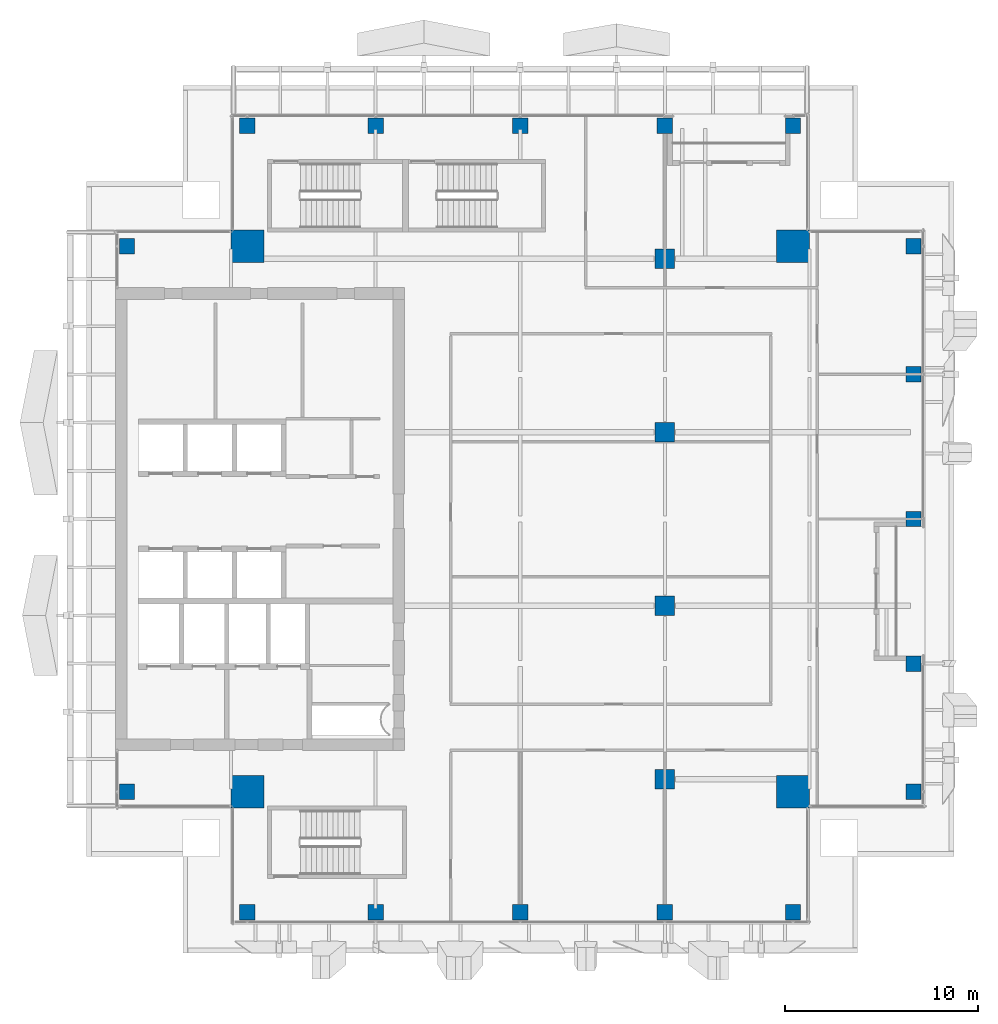
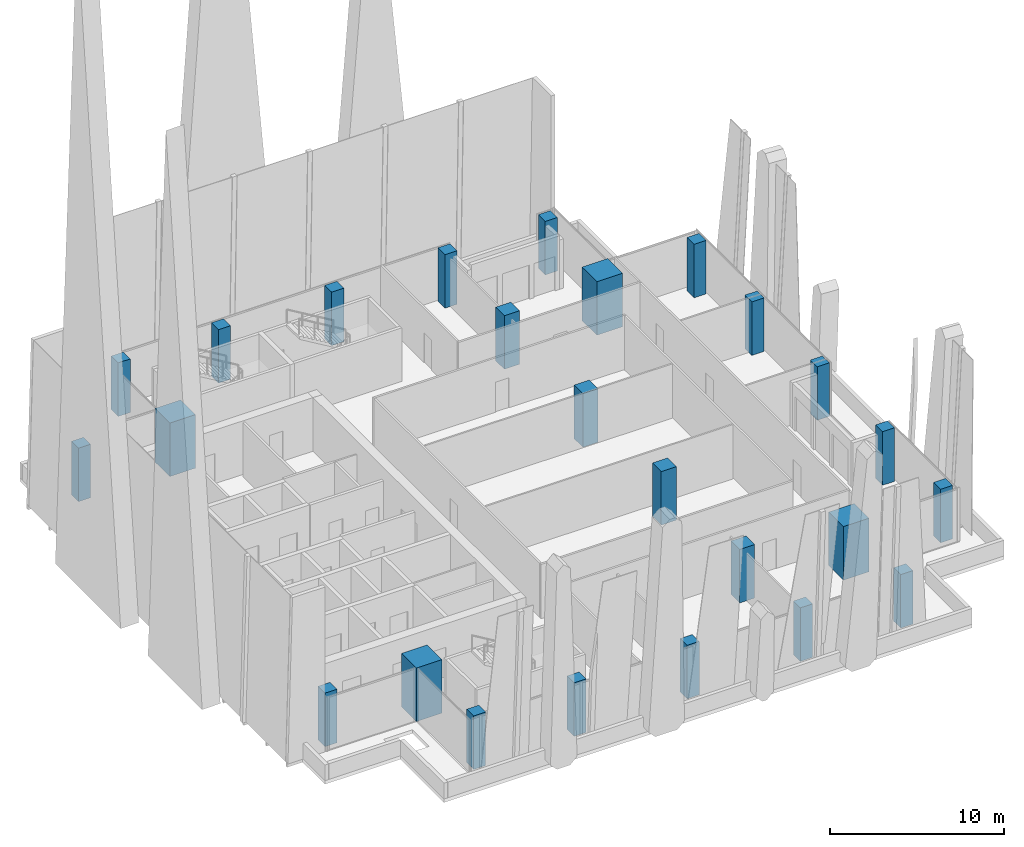
# One storey, part 1 of 32: 25 columns.
"""IFC4 building model written with IfcOpenShell, lengths in metres."""

import ifcopenshell
import ifcopenshell.guid

model = None  # the IFC model being written
_history = None  # IfcOwnerHistory: only IFC2X3 demands one
_inside = {}  # id of a spatial element -> (the spatial element, [elements in it])
_under = {}  # id of a project, library or spatial element -> (it, [spatial elements below it])
_declared = {}  # id of a project -> (the project, [libraries it declares])
_typed = {}  # id of a type object -> (the type object, [elements of that type])
_made_of = {}  # id of a material, layer set ... -> (it, [elements and type objects made of it])


def new_model(schema):
    """Start an empty IFC model of exactly this schema.

    Asked for "IFC4X3", IfcOpenShell would pick the latest addendum, in which some entities
    have other attributes; the version numbers below select the first issue.
    IFC2X3 requires an IfcOwnerHistory on every rooted entity: one is made here for all.
    """
    global model, _history
    if schema == "IFC4X3":
        model = ifcopenshell.file(schema_version=(4, 3, 0, 0))
    else:
        model = ifcopenshell.file(schema=schema)
    _inside.clear()
    _under.clear()
    _declared.clear()
    _typed.clear()
    _made_of.clear()
    _history = None
    if model.schema == "IFC2X3":
        org = make("IfcOrganization", Name="unknown")
        user = make(
            "IfcPersonAndOrganization",
            ThePerson=make("IfcPerson", FamilyName="unknown"),
            TheOrganization=org,
        )
        app = make(
            "IfcApplication",
            ApplicationDeveloper=org,
            Version="unknown",
            ApplicationFullName="unknown",
            ApplicationIdentifier="unknown",
        )
        _history = make(
            "IfcOwnerHistory",
            OwningUser=user,
            OwningApplication=app,
            ChangeAction="ADDED",
            CreationDate=0,
        )
    return model


def make(cls, **values):
    """One entity of the class cls with the attributes given. An attribute that is None is left unset."""
    return model.create_entity(
        cls, **{name: value for name, value in values.items() if value is not None}
    )


def rooted(cls, **values):
    """An entity with a GlobalId (a new one), such as an element, a storey or a relation."""
    return make(cls, GlobalId=ifcopenshell.guid.new(), OwnerHistory=_history, **values)


def si_unit(unit_type, name, prefix=None):
    """IfcSIUnit, for example si_unit("LENGTHUNIT", "METRE", prefix="MILLI")."""
    return make("IfcSIUnit", UnitType=unit_type, Prefix=prefix, Name=name)


def assignment(units):
    """IfcUnitAssignment: the units of a project."""
    return None if units is None else make("IfcUnitAssignment", Units=units)


def point(xyz):
    """IfcCartesianPoint."""
    return None if xyz is None else make("IfcCartesianPoint", Coordinates=xyz)


def direction(xyz):
    """IfcDirection."""
    return None if xyz is None else make("IfcDirection", DirectionRatios=xyz)


def frame(location, z_axis=None, x_axis=None):
    """IfcAxis2Placement3D, a coordinate frame: its origin and axes. An axis left out is left unset."""
    return make(
        "IfcAxis2Placement3D",
        Location=point(location),
        Axis=direction(z_axis),
        RefDirection=direction(x_axis),
    )


def frame_2d(location, x_axis=None):
    """IfcAxis2Placement2D, a coordinate frame in the plane: its origin and x axis."""
    return make(
        "IfcAxis2Placement2D", Location=point(location), RefDirection=direction(x_axis)
    )


def origin():
    """The frame at (0, 0, 0) with its axes left unset."""
    return frame((0.0, 0.0, 0.0))


def origin_2d():
    """The frame at (0, 0) in the plane with its x axis left unset."""
    return frame_2d((0.0, 0.0))


def place(relative_to, where):
    """IfcLocalPlacement: puts the frame where relative to a parent placement (None: the world)."""
    return make(
        "IfcLocalPlacement", PlacementRelTo=relative_to, RelativePlacement=where
    )


def context(
    kind, dimensions, precision=None, world=None, true_north=None, identifier=None
):
    """IfcGeometricRepresentationContext, for example the 3D "Model" context."""
    return make(
        "IfcGeometricRepresentationContext",
        ContextIdentifier=identifier,
        ContextType=kind,
        CoordinateSpaceDimension=dimensions,
        Precision=precision,
        WorldCoordinateSystem=world,
        TrueNorth=true_north,
    )


def subcontext(parent, identifier, kind, view, scale=None):
    """IfcGeometricRepresentationSubContext, for example "Body" below "Model"."""
    return make(
        "IfcGeometricRepresentationSubContext",
        ContextIdentifier=identifier,
        ContextType=kind,
        ParentContext=parent,
        TargetScale=scale,
        TargetView=view,
    )


def project(units=None, contexts=None):
    """IfcProject with its units and contexts."""
    return rooted(
        "IfcProject",
        Name="project",
        RepresentationContexts=contexts,
        UnitsInContext=assignment(units),
    )


def spatial(cls, under=None, at=None, **own):
    """A site, building, storey or space (cls), placed at a placement, below another one or the project."""
    s = rooted(cls, ObjectPlacement=at, **own)
    if under is not None:
        _under.setdefault(under.id(), (under, []))[1].append(s)
    return s


def profile(cls, at=None, kind="AREA", **sizes):
    """A parametric profile (cls). Its sizes go by their IFC names, for example OverallWidth=200.0."""
    return make(cls, ProfileType=kind, Position=at, **sizes)


def rectangle(**sizes):
    """IfcRectangleProfileDef."""
    return profile("IfcRectangleProfileDef", **sizes)


def extrude(swept, where, along, depth):
    """IfcExtrudedAreaSolid: the profile swept, set in the frame where, extruded along a direction by depth."""
    return make(
        "IfcExtrudedAreaSolid",
        SweptArea=swept,
        Position=where,
        ExtrudedDirection=direction(along),
        Depth=depth,
    )


def shape(context_of_items, identifier, shape_type, items):
    """IfcShapeRepresentation: the items that make up one representation, for example the "Body"."""
    return make(
        "IfcShapeRepresentation",
        ContextOfItems=context_of_items,
        RepresentationIdentifier=identifier,
        RepresentationType=shape_type,
        Items=items,
    )


def source(mapping_origin, context_of_items, identifier, shape_type, items):
    """IfcRepresentationMap: a shape defined once, which mapped items show again and again."""
    return make(
        "IfcRepresentationMap",
        MappingOrigin=mapping_origin,
        MappedRepresentation=shape(context_of_items, identifier, shape_type, items),
    )


def transform(
    local_origin,
    x_axis=None,
    y_axis=None,
    z_axis=None,
    scale=None,
    scale2=None,
    scale3=None,
    uniform=True,
):
    """IfcCartesianTransformationOperator3D, or its non-uniform kind. x_axis, y_axis, z_axis: its Axis1, 2, 3."""
    if uniform:
        return make(
            "IfcCartesianTransformationOperator3D",
            Axis1=direction(x_axis),
            Axis2=direction(y_axis),
            LocalOrigin=point(local_origin),
            Scale=scale,
            Axis3=direction(z_axis),
        )
    return make(
        "IfcCartesianTransformationOperator3DnonUniform",
        Axis1=direction(x_axis),
        Axis2=direction(y_axis),
        LocalOrigin=point(local_origin),
        Scale=scale,
        Axis3=direction(z_axis),
        Scale2=scale2,
        Scale3=scale3,
    )


def mapped(mapping_source, mapping_target):
    """IfcMappedItem: shows the shape of a source again, moved by a transform."""
    return make(
        "IfcMappedItem", MappingSource=mapping_source, MappingTarget=mapping_target
    )


def material(Name=None, Category=None):
    """IfcMaterial."""
    return make("IfcMaterial", Name=Name, Category=Category)


def material_profile(
    of_material, cross_section, Name=None, Category=None, Priority=None
):
    """IfcMaterialProfile: a cross section and its material."""
    return make(
        "IfcMaterialProfile",
        Name=Name,
        Material=of_material,
        Profile=cross_section,
        Priority=Priority,
        Category=Category,
    )


def profile_set(profiles, Name=None, composite=None):
    """IfcMaterialProfileSet."""
    return make(
        "IfcMaterialProfileSet",
        Name=Name,
        MaterialProfiles=profiles,
        CompositeProfile=composite,
    )


def made_of(thing, what):
    """Note that an element or type object is made of a material, layer set ...; save() writes the relation."""
    if what is not None:
        _made_of.setdefault(what.id(), (what, []))[1].append(thing)
    return thing


def type_object(cls, material=None, **own):
    """A type object (cls), such as IfcWallType, which elements share."""
    return made_of(rooted(cls, **own), material)


def element(
    cls,
    number,
    at=None,
    inside=None,
    cuts=None,
    type_object=None,
    material=None,
    context=None,
    identifier="Body",
    shape_type=None,
    held_by="IfcProductDefinitionShape",
    body=None,
    shapes=None,
    **own,
):
    """One element of the class cls, such as IfcWall. Its Tag is "e" and its number.

    at: its placement. inside: the storey or other place that contains it. cuts: it is an
    opening in that element (IfcRelVoidsElement). A single representation is given by context,
    identifier, shape_type and body (its items); several are given by shapes. held_by: the class
    of the entity that holds the representations. save() writes the other relations.
    """
    e = rooted(cls, Tag="e%d" % number, ObjectPlacement=at, **own)
    if body is not None:
        shapes = [shape(context, identifier, shape_type, body)]
    if shapes is not None:
        e.Representation = make(held_by, Representations=shapes)
    if inside is not None:
        _inside.setdefault(inside.id(), (inside, []))[1].append(e)
    if cuts is not None:
        rooted(
            "IfcRelVoidsElement", RelatingBuildingElement=cuts, RelatedOpeningElement=e
        )
    if type_object is not None:
        _typed.setdefault(type_object.id(), (type_object, []))[1].append(e)
    return made_of(e, material)


def aggregate(whole, parts):
    """IfcRelAggregates: a whole, such as a stair, and the parts it consists of."""
    return rooted("IfcRelAggregates", RelatingObject=whole, RelatedObjects=parts)


def save(model, path):
    """Write the relations noted so far, then the file.

    IfcRelAggregates (storeys below a building ...), IfcRelContainedInSpatialStructure (elements
    in a storey), IfcRelDefinesByType, IfcRelAssociatesMaterial and IfcRelDeclares: one each for
    every whole, place, type object, material and project.
    """
    for whole, parts in _under.values():
        aggregate(whole, parts)
    for where, things in _inside.values():
        rooted(
            "IfcRelContainedInSpatialStructure",
            RelatedElements=things,
            RelatingStructure=where,
        )
    for kind, things in _typed.values():
        rooted("IfcRelDefinesByType", RelatedObjects=things, RelatingType=kind)
    for what, things in _made_of.values():
        rooted("IfcRelAssociatesMaterial", RelatedObjects=things, RelatingMaterial=what)
    for by, libraries in _declared.values():
        rooted("IfcRelDeclares", RelatingContext=by, RelatedDefinitions=libraries)
    model.write(path)


model = new_model("IFC4")

# Units and contexts
model_context = context("Model", 3, precision=1e-05, world=origin(), true_north=direction((0.0, 1.0)))
body_context = subcontext(model_context, "Body", "Model", "MODEL_VIEW")
ifc_project = project(units=[si_unit("LENGTHUNIT", "METRE"), si_unit("AREAUNIT", "SQUARE_METRE"), si_unit("VOLUMEUNIT", "CUBIC_METRE"), si_unit("PLANEANGLEUNIT", "RADIAN"), si_unit("MASSUNIT", "GRAM", prefix="KILO")], contexts=[model_context])

# Site, building, storey
site_placement = place(None, origin())
site = spatial("IfcSite", under=ifc_project, at=site_placement, CompositionType="ELEMENT")
building_placement = place(site_placement, origin())
building = spatial("IfcBuilding", under=site, at=building_placement, Name="Khomas Fold Tower", CompositionType="ELEMENT")
storey_placement = place(building_placement, frame((0.0, 0.0, 282.199951171875)))
storey = spatial("IfcBuildingStorey", under=building, at=storey_placement, Name="L63", CompositionType="ELEMENT", Elevation=282.199951171875)

# Columns
ifc_material_1 = material(Name="Concrete C50/60", Category="concrete")
ifc_material_profile_1 = material_profile(ifc_material_1, rectangle(XDim=1.0, YDim=1.0, at=origin_2d()), Name="RC 1000x1000")
ifc_profile_set_1 = profile_set([ifc_material_profile_1], Name="Concrete C50/60")
column_type_1 = type_object("IfcColumnType", Name="RC 1000x1000 column", PredefinedType="COLUMN", material=ifc_profile_set_1)
shared_shape_1 = source(origin(), body_context, "Body", "SweptSolid", [
    extrude(rectangle(XDim=1.0, YDim=1.0, at=origin_2d()), origin(), (0.0, 0.0, 1.0), 3.75),
])
for number, where, z_axis, x_axis, name in (
    (1, (34.5, 13.5, 0.0), (0.0, 0.0, 1.0), (1.0, 0.0, 0.0), "C-10-H"),
    (2, (34.5, 22.5, 0.0), (0.0, 0.0, 1.0), (1.0, 0.0, 0.0), "C-10-K"),
    (3, (34.5, 31.5, 0.0), (0.0, 0.0, 1.0), (1.0, 0.0, 0.0), "C-10-M"),
    (4, (34.5, 40.5, 0.0), (0.0, 0.0, 1.0), (1.0, 0.0, 0.0), "C-10-P"),
):
    element("IfcColumn", number, at=place(storey_placement, frame(where, z_axis=z_axis, x_axis=x_axis)), inside=storey, type_object=column_type_1, Name=name, PredefinedType="COLUMN", context=body_context, shape_type="MappedRepresentation", body=[
        mapped(shared_shape_1, transform((0.0, 0.0, 0.0))),
    ])
ifc_material_2 = material(Name="Concrete C60/75", Category="concrete")
ifc_material_profile_2 = material_profile(ifc_material_2, rectangle(XDim=1.699951171875, YDim=1.699951171875, at=origin_2d()), Name="RC 1700x1700")
ifc_profile_set_2 = profile_set([ifc_material_profile_2], Name="Concrete C60/75")
column_type_2 = type_object("IfcColumnType", Name="RC 1700x1700 column", PredefinedType="COLUMN", material=ifc_profile_set_2)
shared_shape_2 = source(origin(), body_context, "Body", "SweptSolid", [
    extrude(rectangle(XDim=1.699951171875, YDim=1.699951171875, at=origin_2d()), origin(), (0.0, 0.0, 1.0), 3.75),
])
for number, where, z_axis, x_axis, name in (
    (5, (41.14990234375, 41.14990234375, 0.0), (0.0, 0.0, 1.0), (1.0, 0.0, 0.0), "CM-NE"),
    (6, (12.85009765625, 41.14990234375, 0.0), (0.0, 0.0, 1.0), (1.0, 0.0, 0.0), "CM-NW"),
    (7, (41.14990234375, 12.85009765625, 0.0), (0.0, 0.0, 1.0), (1.0, 0.0, 0.0), "CM-SE"),
    (8, (12.85009765625, 12.85009765625, 0.0), (0.0, 0.0, 1.0), (1.0, 0.0, 0.0), "CM-SW"),
):
    element("IfcColumn", number, at=place(storey_placement, frame(where, z_axis=z_axis, x_axis=x_axis)), inside=storey, type_object=column_type_2, Name=name, PredefinedType="COLUMN", context=body_context, shape_type="MappedRepresentation", body=[
        mapped(shared_shape_2, transform((0.0, 0.0, 0.0))),
    ])
ifc_material_3 = material(Name="Concrete C50/60", Category="concrete")
ifc_material_profile_3 = material_profile(ifc_material_3, rectangle(XDim=0.800048828125, YDim=0.800048828125, at=origin_2d()), Name="RC 800x800")
ifc_profile_set_3 = profile_set([ifc_material_profile_3], Name="Concrete C50/60")
column_type_3 = type_object("IfcColumnType", Name="RC 800x800 column", PredefinedType="COLUMN", material=ifc_profile_set_3)
shared_shape_3 = source(origin(), body_context, "Body", "SweptSolid", [
    extrude(rectangle(XDim=0.800048828125, YDim=0.800048828125, at=origin_2d()), origin(), (0.0, 0.0, 1.0), 3.75),
])
for number, where, z_axis, x_axis, name in (
    (9, (12.85009765625, 6.60009765625, 0.0), (0.0, 0.0, 1.0), (1.0, 0.0, 0.0), "C-7-SF5"),
    (10, (19.5, 6.60009765625, 0.0), (0.0, 0.0, 1.0), (1.0, 0.0, 0.0), "C-8-SF5"),
    (11, (27.0, 6.60009765625, 0.0), (0.0, 0.0, 1.0), (1.0, 0.0, 0.0), "C-9-SF5"),
    (12, (34.5, 6.60009765625, 0.0), (0.0, 0.0, 1.0), (1.0, 0.0, 0.0), "C-10-SF5"),
    (13, (41.14990234375, 6.60009765625, 0.0), (0.0, 0.0, 1.0), (1.0, 0.0, 0.0), "C-12-SF5"),
    (14, (47.39990234375, 12.85009765625, 0.0), (0.0, 0.0, 1.0), (1.0, 0.0, 0.0), "C-E5-G"),
    (15, (47.39990234375, 19.5, 0.0), (0.0, 0.0, 1.0), (1.0, 0.0, 0.0), "C-E5-J"),
    (16, (47.39990234375, 27.0, 0.0), (0.0, 0.0, 1.0), (1.0, 0.0, 0.0), "C-E5-L"),
    (17, (47.39990234375, 34.5, 0.0), (0.0, 0.0, 1.0), (1.0, 0.0, 0.0), "C-E5-N"),
    (18, (47.39990234375, 41.14990234375, 0.0), (0.0, 0.0, 1.0), (1.0, 0.0, 0.0), "C-E5-Q"),
    (19, (12.85009765625, 47.39990234375, 0.0), (0.0, 0.0, 1.0), (1.0, 0.0, 0.0), "C-7-NF5"),
    (20, (19.5, 47.39990234375, 0.0), (0.0, 0.0, 1.0), (1.0, 0.0, 0.0), "C-8-NF5"),
    (21, (27.0, 47.39990234375, 0.0), (0.0, 0.0, 1.0), (1.0, 0.0, 0.0), "C-9-NF5"),
    (22, (34.5, 47.39990234375, 0.0), (0.0, 0.0, 1.0), (1.0, 0.0, 0.0), "C-10-NF5"),
    (23, (41.14990234375, 47.39990234375, 0.0), (0.0, 0.0, 1.0), (1.0, 0.0, 0.0), "C-12-NF5"),
    (24, (6.60009765625, 12.85009765625, 0.0), (0.0, 0.0, 1.0), (1.0, 0.0, 0.0), "C-W5-G"),
    (25, (6.60009765625, 41.14990234375, 0.0), (0.0, 0.0, 1.0), (1.0, 0.0, 0.0), "C-W5-Q"),
):
    element("IfcColumn", number, at=place(storey_placement, frame(where, z_axis=z_axis, x_axis=x_axis)), inside=storey, type_object=column_type_3, Name=name, PredefinedType="COLUMN", context=body_context, shape_type="MappedRepresentation", body=[
        mapped(shared_shape_3, transform((0.0, 0.0, 0.0))),
    ])

save(model, "model.ifc")
